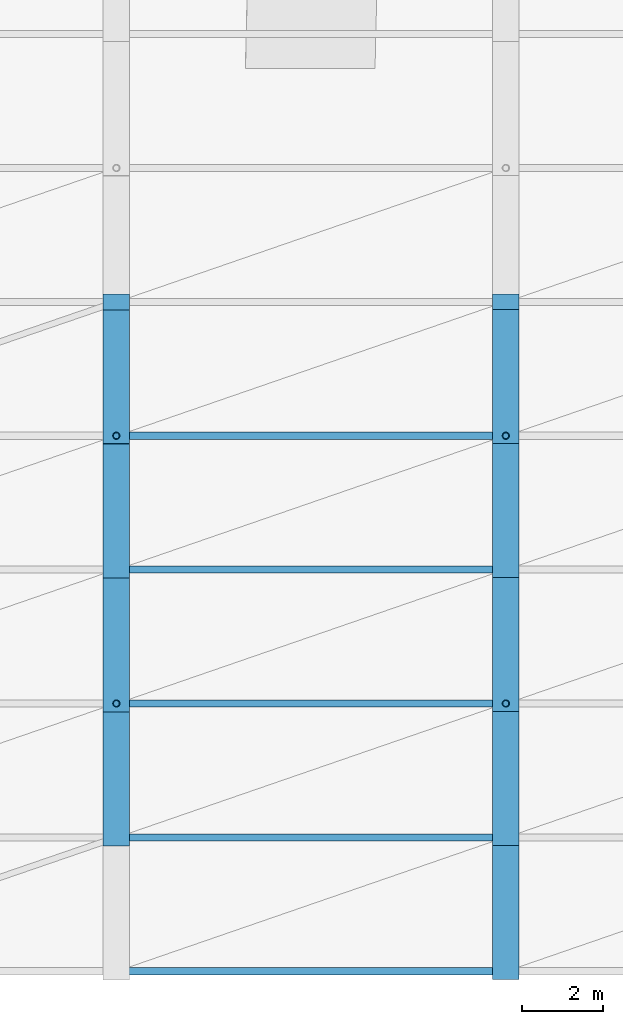
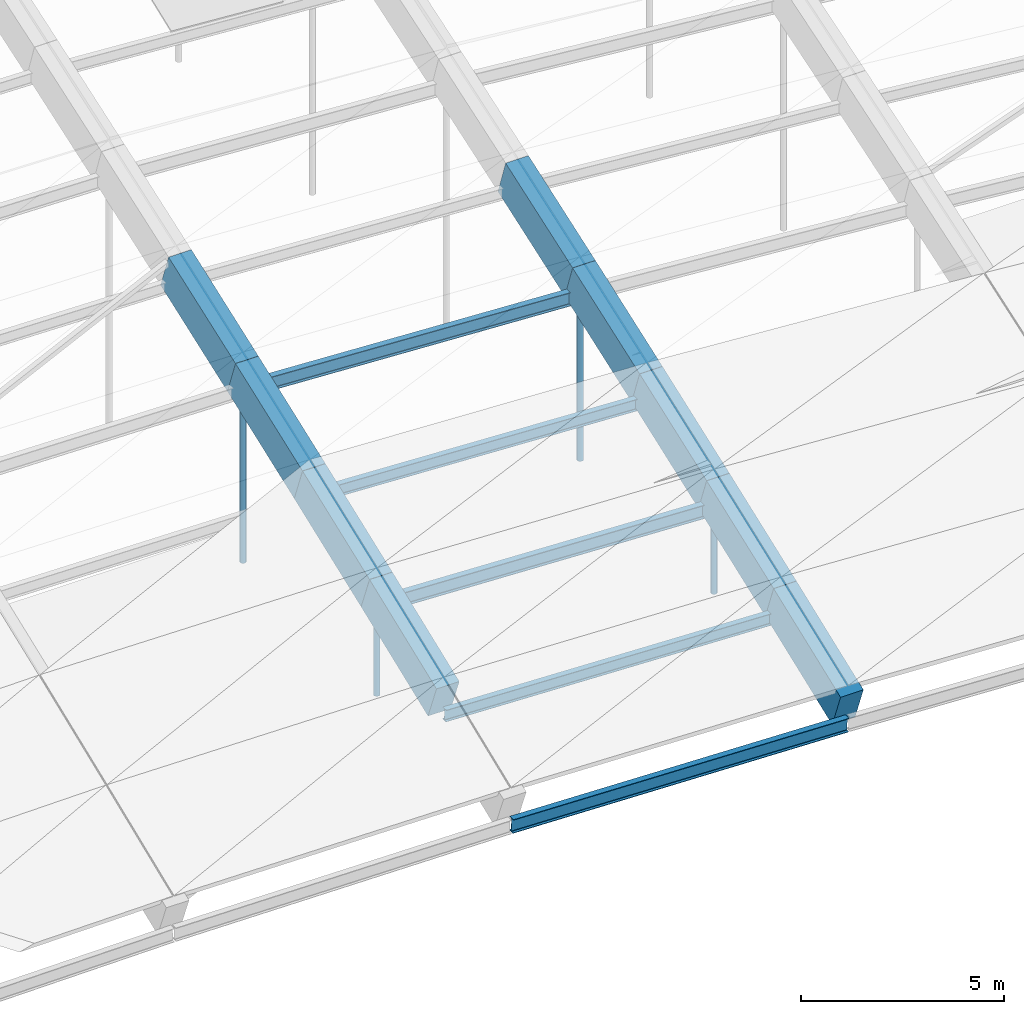
# One storey, part 13 of 43: 9 beams, 9 members.
"""IFC4 building model written with IfcOpenShell, lengths in metres."""

from ifc_helpers import new_model, si_unit, direction, frame, origin, origin_2d, place, context, subcontext, project, spatial, rectangle, hollow_circle, i_section, extrude, material, material_profile, profile_set, type_object, element, save


model = new_model("IFC4")

# Units and contexts
model_context = context("Model", 3, precision=1e-05, world=origin(), true_north=direction((0.0, 1.0)))
body_context = subcontext(model_context, "Body", "Model", "MODEL_VIEW")
ifc_project = project(units=[si_unit("LENGTHUNIT", "METRE"), si_unit("AREAUNIT", "SQUARE_METRE"), si_unit("VOLUMEUNIT", "CUBIC_METRE"), si_unit("PLANEANGLEUNIT", "RADIAN"), si_unit("MASSUNIT", "GRAM", prefix="KILO")], contexts=[model_context])

# Site, building, storey
site_placement = place(None, origin())
site = spatial("IfcSite", under=ifc_project, at=site_placement, CompositionType="ELEMENT")
building_placement = place(site_placement, origin())
building = spatial("IfcBuilding", under=site, at=building_placement, Name="Chalmorin Arch Market", CompositionType="ELEMENT")
storey_placement = place(building_placement, frame((0.0, 0.0, 18.60009765625)))
storey = spatial("IfcBuildingStorey", under=building, at=storey_placement, Name="RF", CompositionType="ELEMENT", Elevation=18.60009765625)

# Members
ifc_material_1 = material(Name="Steel A500 Grade C", Category="steel")
ifc_material_profile_1 = material_profile(ifc_material_1, hollow_circle(Radius=0.084228515625, WallThickness=0.007080078125, at=origin_2d()), Name="CHS168X7")
ifc_profile_set_1 = profile_set([ifc_material_profile_1], Name="Steel A500 Grade C")
member_type_1 = type_object("IfcMemberType", Name="ArchHangerTie-CHS168", PredefinedType="CHORD", material=ifc_profile_set_1)
member_1_placement = place(storey_placement, frame((96.0, 12.60009765625, -2.552978515625), z_axis=(0.0, 0.0, 1.0), x_axis=(1.0, 0.0, 0.0)))
element("IfcMember", 1, at=member_1_placement, inside=storey, type_object=member_type_1, Name="HT-CH168-0163", PredefinedType="CHORD", context=body_context, shape_type="SweptSolid", body=[
    extrude(hollow_circle(Radius=0.084228515625, WallThickness=0.007080078125, at=origin_2d()), origin(), (0.0, 0.0, 1.0), 3.161376953125),
])
member_2_placement = place(storey_placement, frame((96.0, 19.199951171875, -2.552978515625), z_axis=(0.0, 0.0, 1.0), x_axis=(1.0, 0.0, 0.0)))
element("IfcMember", 2, at=member_2_placement, inside=storey, type_object=member_type_1, Name="HT-CH168-0164", PredefinedType="CHORD", context=body_context, shape_type="SweptSolid", body=[
    extrude(hollow_circle(Radius=0.084228515625, WallThickness=0.007080078125, at=origin_2d()), origin(), (0.0, 0.0, 1.0), 5.6513671875),
])
member_3_placement = place(storey_placement, frame((105.60009765625, 12.60009765625, -2.845458984375), z_axis=(0.0, 0.0, 1.0), x_axis=(1.0, 0.0, 0.0)))
element("IfcMember", 3, at=member_3_placement, inside=storey, type_object=member_type_1, Name="HT-CH168-0170", PredefinedType="CHORD", context=body_context, shape_type="SweptSolid", body=[
    extrude(hollow_circle(Radius=0.084228515625, WallThickness=0.007080078125, at=origin_2d()), origin(), (0.0, 0.0, 1.0), 3.059326171875),
])
member_4_placement = place(storey_placement, frame((105.60009765625, 19.199951171875, -2.845458984375), z_axis=(0.0, 0.0, 1.0), x_axis=(1.0, 0.0, 0.0)))
element("IfcMember", 4, at=member_4_placement, inside=storey, type_object=member_type_1, Name="HT-CH168-0171", PredefinedType="CHORD", context=body_context, shape_type="SweptSolid", body=[
    extrude(hollow_circle(Radius=0.084228515625, WallThickness=0.007080078125, at=origin_2d()), origin(), (0.0, 0.0, 1.0), 5.4521484375),
])

# Beams
ifc_material_2 = material(Name="Concrete C50/60", Category="concrete")
ifc_material_profile_2 = material_profile(ifc_material_2, rectangle(XDim=0.64990234375, YDim=1.14990234375, at=origin_2d()), Name="RC650X1150")
ifc_profile_set_2 = profile_set([ifc_material_profile_2], Name="Concrete C50/60")
beam_type = type_object("IfcBeamType", Name="ArchRibChord-650x1150", PredefinedType="BEAM", material=ifc_profile_set_2)
beam_1_placement = place(storey_placement, frame((96.0, 9.300048828125, -0.681884765625), z_axis=(0.0, 0.93134236978, 0.364144738055), x_axis=(-1.0, 0.0, 0.0)))
element("IfcBeam", 5, at=beam_1_placement, inside=storey, type_object=beam_type, Name="AR-01-1681", PredefinedType="BEAM", context=body_context, shape_type="SweptSolid", body=[
    extrude(rectangle(XDim=0.64990234375, YDim=1.14990234375, at=origin_2d()), origin(), (0.0, 0.0, 1.0), 3.543212890625),
])
beam_2_placement = place(storey_placement, frame((96.0, 12.60009765625, 0.6083984375), z_axis=(0.0, 0.934187393603, 0.356782726086), x_axis=(-1.0, 0.0, 0.0)))
element("IfcBeam", 6, at=beam_2_placement, inside=storey, type_object=beam_type, Name="AR-01-1682", PredefinedType="BEAM", context=body_context, shape_type="SweptSolid", body=[
    extrude(rectangle(XDim=0.64990234375, YDim=1.14990234375, at=origin_2d()), origin(), (0.0, 0.0, 1.0), 3.5322265625),
])
beam_3_placement = place(storey_placement, frame((96.0, 15.89990234375, 1.86865234375), z_axis=(0.0, 0.937053651865, 0.349185414252), x_axis=(-1.0, 0.0, 0.0)))
element("IfcBeam", 7, at=beam_3_placement, inside=storey, type_object=beam_type, Name="AR-01-1683", PredefinedType="BEAM", context=body_context, shape_type="SweptSolid", body=[
    extrude(rectangle(XDim=0.64990234375, YDim=1.14990234375, at=origin_2d()), origin(), (0.0, 0.0, 1.0), 3.521728515625),
])
beam_4_placement = place(storey_placement, frame((96.0, 19.199951171875, 3.098388671875), z_axis=(0.0, 0.939844165336, 0.341603490737), x_axis=(-1.0, 0.0, 0.0)))
element("IfcBeam", 8, at=beam_4_placement, inside=storey, type_object=beam_type, Name="AR-01-1684", PredefinedType="BEAM", context=body_context, shape_type="SweptSolid", body=[
    extrude(rectangle(XDim=0.64990234375, YDim=1.14990234375, at=origin_2d()), origin(), (0.0, 0.0, 1.0), 3.51123046875),
])
beam_5_placement = place(storey_placement, frame((105.60009765625, 6.0, -2.29541015625), z_axis=(0.0, 0.933342046905, 0.358988333347), x_axis=(-1.0, 0.0, 0.0)))
element("IfcBeam", 9, at=beam_5_placement, inside=storey, type_object=beam_type, Name="AR-01-1699", PredefinedType="BEAM", context=body_context, shape_type="SweptSolid", body=[
    extrude(rectangle(XDim=0.64990234375, YDim=1.14990234375, at=origin_2d()), origin(), (0.0, 0.0, 1.0), 3.53564453125),
])
beam_6_placement = place(storey_placement, frame((105.60009765625, 9.300048828125, -1.026123046875), z_axis=(0.0, 0.936098447266, 0.351738108579), x_axis=(-1.0, 0.0, 0.0)))
element("IfcBeam", 10, at=beam_6_placement, inside=storey, type_object=beam_type, Name="AR-01-1700", PredefinedType="BEAM", context=body_context, shape_type="SweptSolid", body=[
    extrude(rectangle(XDim=0.64990234375, YDim=1.14990234375, at=origin_2d()), origin(), (0.0, 0.0, 1.0), 3.525390625),
])
beam_7_placement = place(storey_placement, frame((105.60009765625, 12.60009765625, 0.2138671875), z_axis=(0.0, 0.938783490773, 0.344507703036), x_axis=(-1.0, 0.0, 0.0)))
element("IfcBeam", 11, at=beam_7_placement, inside=storey, type_object=beam_type, Name="AR-01-1701", PredefinedType="BEAM", context=body_context, shape_type="SweptSolid", body=[
    extrude(rectangle(XDim=0.64990234375, YDim=1.14990234375, at=origin_2d()), origin(), (0.0, 0.0, 1.0), 3.514892578125),
])
beam_8_placement = place(storey_placement, frame((105.60009765625, 15.89990234375, 1.4248046875), z_axis=(0.0, 0.941443722583, 0.337170160614), x_axis=(-1.0, 0.0, 0.0)))
element("IfcBeam", 12, at=beam_8_placement, inside=storey, type_object=beam_type, Name="AR-01-1702", PredefinedType="BEAM", context=body_context, shape_type="SweptSolid", body=[
    extrude(rectangle(XDim=0.64990234375, YDim=1.14990234375, at=origin_2d()), origin(), (0.0, 0.0, 1.0), 3.50537109375),
])
beam_9_placement = place(storey_placement, frame((105.60009765625, 19.199951171875, 2.606689453125), z_axis=(0.0, 0.944074839339, 0.32973125076), x_axis=(-1.0, 0.0, 0.0)))
element("IfcBeam", 13, at=beam_9_placement, inside=storey, type_object=beam_type, Name="AR-01-1703", PredefinedType="BEAM", context=body_context, shape_type="SweptSolid", body=[
    extrude(rectangle(XDim=0.64990234375, YDim=1.14990234375, at=origin_2d()), origin(), (0.0, 0.0, 1.0), 3.49560546875),
])

# Members
ifc_material_3 = material(Name="Steel A992 Grade 50", Category="steel")
ifc_material_profile_3 = material_profile(ifc_material_3, i_section(OverallWidth=0.1708984375, OverallDepth=0.35107421875, WebThickness=0.0068359375, FlangeThickness=0.009765625, FilletRadius=0.014892578125, at=origin_2d()), Name="W14X30")
ifc_profile_set_3 = profile_set([ifc_material_profile_3], Name="Steel A992 Grade 50")
member_type_2 = type_object("IfcMemberType", Name="RoofSteelPurlin-W14X30", PredefinedType="PURLIN", material=ifc_profile_set_3)
member_5_placement = place(storey_placement, frame((96.02001953125, 9.300048828125, -1.162109375), z_axis=(0.99935326031, 0.0, -0.035959158889), x_axis=(0.0, 1.0, 0.0)))
element("IfcMember", 14, at=member_5_placement, inside=storey, type_object=member_type_2, Name="PR-W14-0282", PredefinedType="PURLIN", context=body_context, shape_type="SweptSolid", body=[
    extrude(i_section(OverallWidth=0.1708984375, OverallDepth=0.35107421875, WebThickness=0.0068359375, FlangeThickness=0.009765625, FilletRadius=0.014892578125, at=origin_2d()), origin(), (0.0, 0.0, 1.0), 9.566162109375),
])
member_6_placement = place(storey_placement, frame((96.02001953125, 15.89990234375, 1.388671875), z_axis=(0.998923992344, 0.0, -0.046377338426), x_axis=(0.0, 1.0, 0.0)))
element("IfcMember", 15, at=member_6_placement, inside=storey, type_object=member_type_2, Name="PR-W14-0284", PredefinedType="PURLIN", context=body_context, shape_type="SweptSolid", body=[
    extrude(i_section(OverallWidth=0.1708984375, OverallDepth=0.35107421875, WebThickness=0.0068359375, FlangeThickness=0.009765625, FilletRadius=0.014892578125, at=origin_2d()), origin(), (0.0, 0.0, 1.0), 9.5703125),
])
ifc_material_profile_4 = material_profile(ifc_material_3, i_section(OverallWidth=0.178955078125, OverallDepth=0.409912109375, WebThickness=0.0087890625, FlangeThickness=0.014404296875, FilletRadius=0.01806640625, at=origin_2d()), Name="W16X45")
ifc_profile_set_4 = profile_set([ifc_material_profile_4], Name="Steel A992 Grade 50")
member_type_3 = type_object("IfcMemberType", Name="RoofSteelPurlin-W16X45", PredefinedType="PURLIN", material=ifc_profile_set_4)
member_7_placement = place(storey_placement, frame((96.02001953125, 6.0, -2.48291015625), z_axis=(0.999532331741, 0.0, -0.030579695935), x_axis=(0.0, 1.0, 0.0)))
element("IfcMember", 16, at=member_7_placement, inside=storey, type_object=member_type_3, Name="PR-W16-0281", PredefinedType="PURLIN", context=body_context, shape_type="SweptSolid", body=[
    extrude(i_section(OverallWidth=0.178955078125, OverallDepth=0.409912109375, WebThickness=0.0087890625, FlangeThickness=0.014404296875, FilletRadius=0.01806640625, at=origin_2d()), origin(), (0.0, 0.0, 1.0), 9.564453125),
])
member_8_placement = place(storey_placement, frame((96.02001953125, 12.60009765625, 0.12841796875), z_axis=(0.999149533114, 0.0, -0.041233608599), x_axis=(0.0, 1.0, 0.0)))
element("IfcMember", 17, at=member_8_placement, inside=storey, type_object=member_type_3, Name="PR-W16-0283", PredefinedType="PURLIN", context=body_context, shape_type="SweptSolid", body=[
    extrude(i_section(OverallWidth=0.178955078125, OverallDepth=0.409912109375, WebThickness=0.0087890625, FlangeThickness=0.014404296875, FilletRadius=0.01806640625, at=origin_2d()), origin(), (0.0, 0.0, 1.0), 9.568115234375),
])
member_9_placement = place(storey_placement, frame((96.02001953125, 19.199951171875, 2.618408203125), z_axis=(0.998679959244, 0.0, -0.051364764235), x_axis=(0.0, 1.0, 0.0)))
element("IfcMember", 18, at=member_9_placement, inside=storey, type_object=member_type_3, Name="PR-W16-0285", PredefinedType="PURLIN", context=body_context, shape_type="SweptSolid", body=[
    extrude(i_section(OverallWidth=0.178955078125, OverallDepth=0.409912109375, WebThickness=0.0087890625, FlangeThickness=0.014404296875, FilletRadius=0.01806640625, at=origin_2d()), origin(), (0.0, 0.0, 1.0), 9.57275390625),
])

save(model, "model.ifc")
